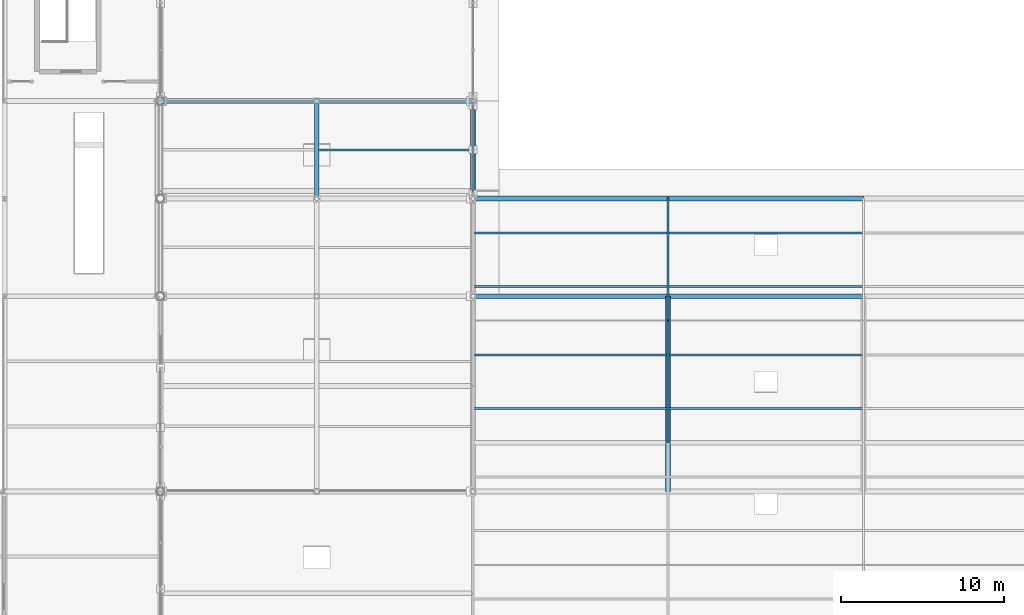
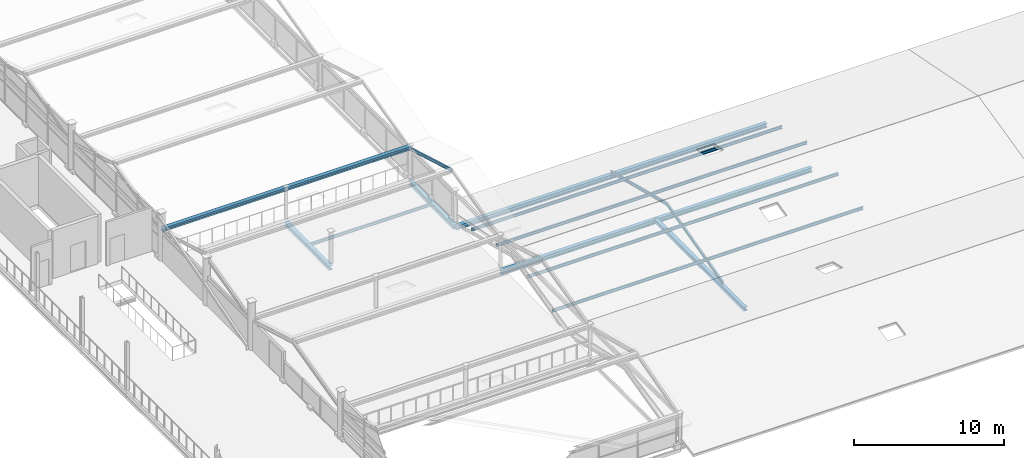
# One storey, part 47 of 117: 11 members, 9 beams.
"""IFC4 building model written with IfcOpenShell, lengths in metres."""

from ifc_helpers import new_model, si_unit, direction, frame, origin, origin_2d, place, context, subcontext, project, spatial, i_section, extrude, material, material_profile, profile_set, type_object, element, save


model = new_model("IFC4")

# Units and contexts
model_context = context("Model", 3, precision=1e-05, world=origin(), true_north=direction((0.0, 1.0)))
body_context = subcontext(model_context, "Body", "Model", "MODEL_VIEW")
ifc_project = project(units=[si_unit("LENGTHUNIT", "METRE"), si_unit("AREAUNIT", "SQUARE_METRE"), si_unit("VOLUMEUNIT", "CUBIC_METRE"), si_unit("PLANEANGLEUNIT", "RADIAN"), si_unit("MASSUNIT", "GRAM", prefix="KILO")], contexts=[model_context])

# Site, building, storey
site_placement = place(None, origin())
site = spatial("IfcSite", under=ifc_project, at=site_placement, CompositionType="ELEMENT")
building_placement = place(site_placement, origin())
building = spatial("IfcBuilding", under=site, at=building_placement, Name="Merenkruunu Market Hall", CompositionType="ELEMENT")
storey_placement = place(building_placement, frame((0.0, 0.0, 10.199951171875)))
storey = spatial("IfcBuildingStorey", under=building, at=storey_placement, Name="L02", CompositionType="ELEMENT", Elevation=10.199951171875)

# Beams
ifc_material_1 = material(Name="Steel S355J2", Category="steel")
ifc_material_profile_1 = material_profile(ifc_material_1, i_section(OverallWidth=0.300048828125, OverallDepth=0.35009765625, WebThickness=0.010009765625, FlangeThickness=0.017578125, FilletRadius=0.027099609375, at=origin_2d()), Name="HEA 360")
ifc_profile_set_1 = profile_set([ifc_material_profile_1], Name="Steel S355J2")
beam_type_1 = type_object("IfcBeamType", Name="Primary Floor Girder B08", PredefinedType="BEAM", material=ifc_profile_set_1)
for number, where, z_axis, x_axis, name in (
    (1, (67.199951171875, 45.60009765625, -0.445068359375), (0.0, 1.0, 0.0), (-1.0, 0.0, 0.0), "BM-L02-B08-0792"),
    (2, (76.800048828125, 45.60009765625, -0.445068359375), (0.0, 1.0, 0.0), (-1.0, 0.0, 0.0), "BM-L02-B08-0795"),
):
    element("IfcBeam", number, at=place(storey_placement, frame(where, z_axis=z_axis, x_axis=x_axis)), inside=storey, type_object=beam_type_1, Name=name, PredefinedType="BEAM", context=body_context, shape_type="SweptSolid", body=[
        extrude(i_section(OverallWidth=0.300048828125, OverallDepth=0.35009765625, WebThickness=0.010009765625, FlangeThickness=0.017578125, FilletRadius=0.027099609375, at=origin_2d()), origin(), (0.0, 0.0, 1.0), 6.0),
    ])
for number, where, z_axis, x_axis, name in (
    (3, (76.800048828125, 39.60009765625, -0.48486328125), (1.0, 0.0, 0.0), (0.0, 1.0, 0.0), "BM-L02-B08-1182"),
    (4, (76.800048828125, 45.60009765625, -0.48486328125), (1.0, 0.0, 0.0), (0.0, 1.0, 0.0), "BM-L02-B08-1183"),
    (5, (88.800048828125, 39.60009765625, -0.48486328125), (1.0, 0.0, 0.0), (0.0, 1.0, 0.0), "BM-L02-B08-1188"),
    (6, (88.800048828125, 45.60009765625, -0.48486328125), (1.0, 0.0, 0.0), (0.0, 1.0, 0.0), "BM-L02-B08-1189"),
):
    element("IfcBeam", number, at=place(storey_placement, frame(where, z_axis=z_axis, x_axis=x_axis)), inside=storey, type_object=beam_type_1, Name=name, PredefinedType="BEAM", context=body_context, shape_type="SweptSolid", body=[
        extrude(i_section(OverallWidth=0.300048828125, OverallDepth=0.35009765625, WebThickness=0.010009765625, FlangeThickness=0.017578125, FilletRadius=0.027099609375, at=origin_2d()), origin(), (0.0, 0.0, 1.0), 12.0),
    ])
ifc_material_profile_2 = material_profile(ifc_material_1, i_section(OverallWidth=0.300048828125, OverallDepth=0.2900390625, WebThickness=0.008544921875, FlangeThickness=0.013916015625, FilletRadius=0.027099609375, at=origin_2d()), Name="HEA 300")
ifc_profile_set_2 = profile_set([ifc_material_profile_2], Name="Steel S355J2")
beam_type_2 = type_object("IfcBeamType", Name="Primary Floor Girder B09", PredefinedType="BEAM", material=ifc_profile_set_2)
beam_1_placement = place(storey_placement, frame((88.800048828125, 27.60009765625, -0.445068359375), z_axis=(0.0, 1.0, 0.0), x_axis=(-1.0, 0.0, 0.0)))
element("IfcBeam", 7, at=beam_1_placement, inside=storey, type_object=beam_type_2, Name="BM-L02-B09-1215", PredefinedType="BEAM", context=body_context, shape_type="SweptSolid", body=[
    extrude(i_section(OverallWidth=0.300048828125, OverallDepth=0.2900390625, WebThickness=0.008544921875, FlangeThickness=0.013916015625, FilletRadius=0.027099609375, at=origin_2d()), origin(), (0.0, 0.0, 1.0), 12.0),
])
beam_2_placement = place(storey_placement, frame((57.60009765625, 51.60009765625, 2.43505859375), z_axis=(1.0, 0.0, 0.0), x_axis=(0.0, 1.0, 0.0)))
element("IfcBeam", 8, at=beam_2_placement, inside=storey, type_object=beam_type_2, Name="BM-L02-B09-1300", PredefinedType="BEAM", context=body_context, shape_type="SweptSolid", body=[
    extrude(i_section(OverallWidth=0.300048828125, OverallDepth=0.2900390625, WebThickness=0.008544921875, FlangeThickness=0.013916015625, FilletRadius=0.027099609375, at=origin_2d()), origin(), (0.0, 0.0, 1.0), 19.199951171875),
])

# Members
ifc_material_2 = material(Name="Steel S355ML", Category="steel")
ifc_material_profile_3 = material_profile(ifc_material_2, i_section(OverallWidth=0.1201171875, OverallDepth=0.239990234375, WebThickness=0.006103515625, FlangeThickness=0.009765625, FilletRadius=0.014892578125, at=origin_2d()), Name="IPE 240")
ifc_profile_set_3 = profile_set([ifc_material_profile_3], Name="Steel S355ML")
member_type = type_object("IfcMemberType", Name="Roof Purlin Rafter PR02", PredefinedType="PURLIN", material=ifc_profile_set_3)
for number, where, z_axis, x_axis, name in (
    (9, (88.800048828125, 30.60009765625, -0.14990234375), (0.0, 0.969071803279, 0.246778929591), (-1.0, 0.0, 0.0), "MEM-V2-RAFT-007"),
    (10, (88.800048828125, 38.10009765625, 1.760009765625), (0.0, 0.969071803279, -0.246778929591), (-1.0, 0.0, 0.0), "MEM-V2-RAFT-008"),
):
    element("IfcMember", number, at=place(storey_placement, frame(where, z_axis=z_axis, x_axis=x_axis)), inside=storey, type_object=member_type, Name=name, PredefinedType="PURLIN", context=body_context, shape_type="SweptSolid", body=[
        extrude(i_section(OverallWidth=0.1201171875, OverallDepth=0.239990234375, WebThickness=0.006103515625, FlangeThickness=0.009765625, FilletRadius=0.014892578125, at=origin_2d()), origin(), (0.0, 0.0, 1.0), 7.7392578125),
    ])
for number, where, z_axis, x_axis, name in (
    (11, (76.804931640625, 32.699951171875, 0.52099609375), (1.0, 0.0, 0.0), (0.0, 1.0, 0.0), "MEM-V2-PURL-033"),
    (12, (76.804931640625, 36.0, 1.291015625), (1.0, 0.0, 0.0), (0.0, 1.0, 0.0), "MEM-V2-PURL-034"),
    (13, (76.804931640625, 40.199951171875, 1.31298828125), (1.0, 0.0, 0.0), (0.0, 1.0, 0.0), "MEM-V2-PURL-035"),
    (14, (76.804931640625, 43.5, 0.5791015625), (1.0, 0.0, 0.0), (0.0, 1.0, 0.0), "MEM-V2-PURL-036"),
    (15, (88.804931640625, 32.699951171875, 0.52099609375), (1.0, 0.0, 0.0), (0.0, 1.0, 0.0), "MEM-V2-PURL-041"),
    (16, (88.804931640625, 36.0, 1.291015625), (1.0, 0.0, 0.0), (0.0, 1.0, 0.0), "MEM-V2-PURL-042"),
    (17, (88.804931640625, 40.199951171875, 1.31298828125), (1.0, 0.0, 0.0), (0.0, 1.0, 0.0), "MEM-V2-PURL-043"),
    (18, (88.804931640625, 43.5, 0.5791015625), (1.0, 0.0, 0.0), (0.0, 1.0, 0.0), "MEM-V2-PURL-044"),
):
    element("IfcMember", number, at=place(storey_placement, frame(where, z_axis=z_axis, x_axis=x_axis)), inside=storey, type_object=member_type, Name=name, PredefinedType="PURLIN", context=body_context, shape_type="SweptSolid", body=[
        extrude(i_section(OverallWidth=0.1201171875, OverallDepth=0.239990234375, WebThickness=0.006103515625, FlangeThickness=0.009765625, FilletRadius=0.014892578125, at=origin_2d()), origin(), (0.0, 0.0, 1.0), 11.989990234375),
    ])
member_placement = place(storey_placement, frame((76.800048828125, 46.080078125, 3.880126953125), z_axis=(0.0, 0.960462085918, -0.27841081429), x_axis=(-1.0, 0.0, 0.0)))
element("IfcMember", 19, at=member_placement, inside=storey, type_object=member_type, Name="MEM-V4-SAWR-012", PredefinedType="PURLIN", context=body_context, shape_type="SweptSolid", body=[
    extrude(i_section(OverallWidth=0.1201171875, OverallDepth=0.239990234375, WebThickness=0.006103515625, FlangeThickness=0.009765625, FilletRadius=0.014892578125, at=origin_2d()), origin(), (0.0, 0.0, 1.0), 5.747314453125),
])

# Beam
ifc_material_profile_4 = material_profile(ifc_material_1, i_section(OverallWidth=0.1201171875, OverallDepth=0.239990234375, WebThickness=0.006103515625, FlangeThickness=0.009765625, FilletRadius=0.014892578125, at=origin_2d()), Name="IPE 240")
ifc_profile_set_4 = profile_set([ifc_material_profile_4], Name="Steel S355J2")
beam_type_3 = type_object("IfcBeamType", Name="Secondary Floor Joist J05", PredefinedType="JOIST", material=ifc_profile_set_4)
beam_3_placement = place(storey_placement, frame((67.35302734375, 48.60009765625, -0.389892578125), z_axis=(1.0, 0.0, 0.0), x_axis=(0.0, 1.0, 0.0)))
element("IfcBeam", 20, at=beam_3_placement, inside=storey, type_object=beam_type_3, Name="BM-L02-J05-0834", PredefinedType="JOIST", context=body_context, shape_type="SweptSolid", body=[
    extrude(i_section(OverallWidth=0.1201171875, OverallDepth=0.239990234375, WebThickness=0.006103515625, FlangeThickness=0.009765625, FilletRadius=0.014892578125, at=origin_2d()), origin(), (0.0, 0.0, 1.0), 9.2939453125),
])

save(model, "model.ifc")
